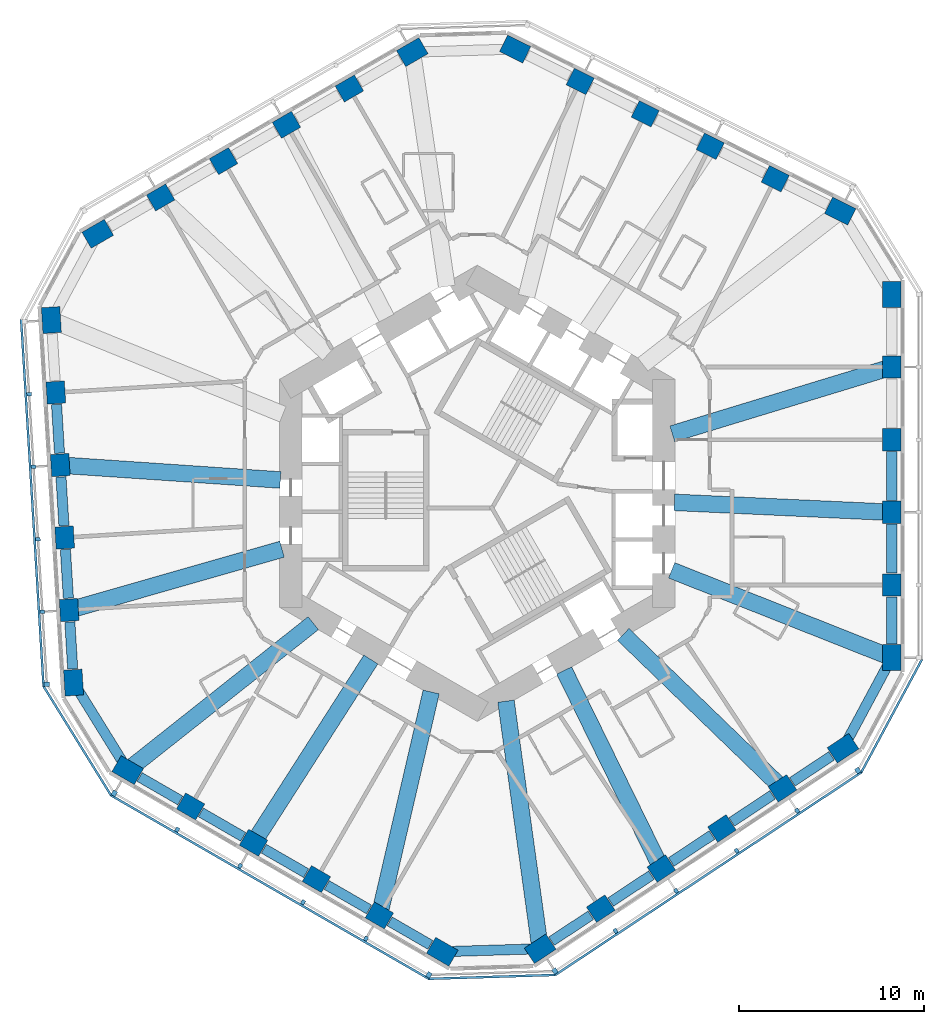
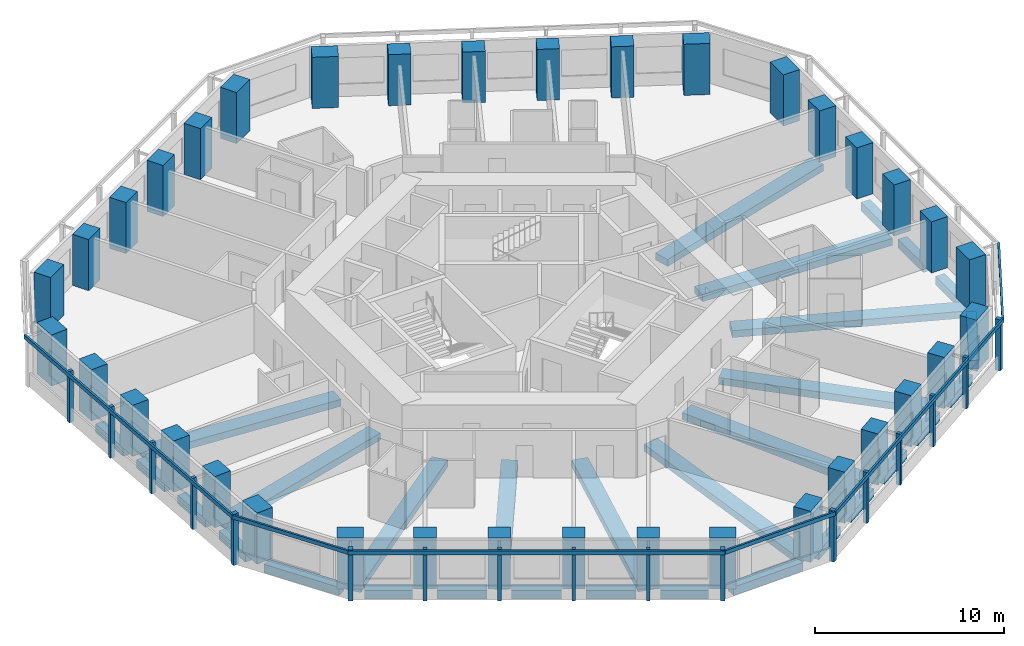
# One storey, part 1 of 12: 36 columns, 31 beams, 23 members, 6 elements without a shape of their own.
"""IFC4 building model written with IfcOpenShell, lengths in metres."""

from ifc_helpers import new_model, si_unit, direction, frame, origin, origin_2d, place, context, subcontext, project, spatial, rectangle, extrude, material, material_profile, profile_set, type_object, element, aggregate, save


model = new_model("IFC4")

# Units and contexts
model_context = context("Model", 3, precision=1e-05, world=origin(), true_north=direction((0.0, 1.0)))
body_context = subcontext(model_context, "Body", "Model", "MODEL_VIEW")
ifc_project = project(units=[si_unit("LENGTHUNIT", "METRE"), si_unit("AREAUNIT", "SQUARE_METRE"), si_unit("VOLUMEUNIT", "CUBIC_METRE"), si_unit("PLANEANGLEUNIT", "RADIAN"), si_unit("MASSUNIT", "GRAM", prefix="KILO")], contexts=[model_context])

# Site, building, storey
site_placement = place(None, origin())
site = spatial("IfcSite", under=ifc_project, at=site_placement, CompositionType="ELEMENT")
building_placement = place(site_placement, origin())
building = spatial("IfcBuilding", under=site, at=building_placement, Name="Vanh Sen Convention Tower", CompositionType="ELEMENT")
storey_placement = place(building_placement, frame((0.0, 0.0, 63.800048828125)))
storey = spatial("IfcBuildingStorey", under=building, at=storey_placement, Name="L13", CompositionType="ELEMENT", Elevation=63.800048828125)

# Columns
ifc_material_1 = material(Name="Concrete C80/95", Category="concrete")
ifc_material_profile_1 = material_profile(ifc_material_1, rectangle(XDim=1.199951171875, YDim=1.0, at=origin_2d()), Name="RC 1200X1000")
ifc_profile_set_1 = profile_set([ifc_material_profile_1], Name="Concrete C80/95")
column_type_1 = type_object("IfcColumnType", Name="Facade column 1200 x 1000 C80/95", PredefinedType="COLUMN", material=ifc_profile_set_1)
for number, where, z_axis, x_axis, name in (
    (1, (22.449951171875, -4.964599609375, 0.0), (0.0, 0.0, 1.0), (0.0, 1.0, 0.0), "Facade column 02 L13"),
    (2, (22.449951171875, -1.030029296875, 0.0), (0.0, 0.0, 1.0), (0.0, 1.0, 0.0), "Facade column 03 L13"),
    (3, (22.449951171875, 2.904541015625, 0.0), (0.0, 0.0, 1.0), (0.0, 1.0, 0.0), "Facade column 04 L13"),
    (4, (22.449951171875, 6.839111328125, 0.0), (0.0, 0.0, 1.0), (0.0, 1.0, 0.0), "Facade column 05 L13"),
    (5, (16.1376953125, 17.039794921875, 0.0), (0.0, 0.0, 1.0), (-0.894934361602, 0.44619781311, 0.0), "Facade column 08 L13"),
    (6, (12.616455078125, 18.79541015625, 0.0), (0.0, 0.0, 1.0), (-0.894934361602, 0.44619781311, 0.0), "Facade column 09 L13"),
    (7, (9.09521484375, 20.55078125, 0.0), (0.0, 0.0, 1.0), (-0.894934361602, 0.44619781311, 0.0), "Facade column 10 L13"),
    (8, (5.57421875, 22.306396484375, 0.0), (0.0, 0.0, 1.0), (-0.894934361602, 0.44619781311, 0.0), "Facade column 11 L13"),
    (9, (-6.925537109375, 21.924560546875, 0.0), (0.0, 0.0, 1.0), (-0.866025403784, -0.5, 0.0), "Facade column 14 L13"),
    (10, (-10.3330078125, 19.957275390625, 0.0), (0.0, 0.0, 1.0), (-0.866025403784, -0.5, 0.0), "Facade column 15 L13"),
    (11, (-13.740478515625, 17.989990234375, 0.0), (0.0, 0.0, 1.0), (-0.866025403784, -0.5, 0.0), "Facade column 16 L13"),
    (12, (-17.14794921875, 16.022705078125, 0.0), (0.0, 0.0, 1.0), (-0.866025403784, -0.5, 0.0), "Facade column 17 L13"),
    (13, (-22.82568359375, 5.455810546875, 0.0), (0.0, 0.0, 1.0), (0.061048539535, -0.998134798422, 0.0), "Facade column 20 L13"),
    (14, (-22.58544921875, 1.528564453125, 0.0), (0.0, 0.0, 1.0), (0.061048539535, -0.998134798422, 0.0), "Facade column 21 L13"),
    (15, (-22.34521484375, -2.398681640625, 0.0), (0.0, 0.0, 1.0), (0.061048539535, -0.998134798422, 0.0), "Facade column 22 L13"),
    (16, (-22.10498046875, -6.325927734375, 0.0), (0.0, 0.0, 1.0), (0.061048539535, -0.998134798422, 0.0), "Facade column 23 L13"),
    (17, (-15.5244140625, -16.9599609375, 0.0), (0.0, 0.0, 1.0), (0.866025403784, -0.5, 0.0), "Facade column 26 L13"),
    (18, (-12.1171875, -18.92724609375, 0.0), (0.0, 0.0, 1.0), (0.866025403784, -0.5, 0.0), "Facade column 27 L13"),
    (19, (-8.709716796875, -20.89453125, 0.0), (0.0, 0.0, 1.0), (0.866025403784, -0.5, 0.0), "Facade column 28 L13"),
    (20, (-5.302001953125, -22.86181640625, 0.0), (0.0, 0.0, 1.0), (0.866025403784, -0.5, 0.0), "Facade column 29 L13"),
    (21, (6.68798828125, -22.49560546875, 0.0), (0.0, 0.0, 1.0), (0.833885822067, 0.551936985312, 0.0), "Facade column 32 L13"),
    (22, (9.968994140625, -20.323974609375, 0.0), (0.0, 0.0, 1.0), (0.833885822067, 0.551936985312, 0.0), "Facade column 33 L13"),
    (23, (13.25, -18.152099609375, 0.0), (0.0, 0.0, 1.0), (0.833885822067, 0.551936985312, 0.0), "Facade column 34 L13"),
    (24, (16.531005859375, -15.980712890625, 0.0), (0.0, 0.0, 1.0), (0.833885822067, 0.551936985312, 0.0), "Facade column 35 L13"),
):
    element("IfcColumn", number, at=place(storey_placement, frame(where, z_axis=z_axis, x_axis=x_axis)), inside=storey, type_object=column_type_1, Name=name, PredefinedType="COLUMN", context=body_context, shape_type="SweptSolid", body=[
        extrude(rectangle(XDim=1.199951171875, YDim=1.0, at=origin_2d()), origin(), (0.0, 0.0, 1.0), 3.300048828125),
    ])
ifc_material_profile_2 = material_profile(ifc_material_1, rectangle(XDim=1.39990234375, YDim=1.0, at=origin_2d()), Name="RC 1400X1000")
ifc_profile_set_2 = profile_set([ifc_material_profile_2], Name="Concrete C80/95")
column_type_2 = type_object("IfcColumnType", Name="Facade corner column 1400 x 1000 C80/95", PredefinedType="COLUMN", material=ifc_profile_set_2)
for number, where, z_axis, x_axis, name in (
    (25, (22.449951171875, -8.899169921875, 0.0), (0.0, 0.0, 1.0), (0.0, 1.0, 0.0), "Facade column 01 L13"),
    (26, (22.449951171875, 10.773681640625, 0.0), (0.0, 0.0, 1.0), (0.0, 1.0, 0.0), "Facade column 06 L13"),
    (27, (19.658935546875, 15.2841796875, 0.0), (0.0, 0.0, 1.0), (-0.894934361602, 0.44619781311, 0.0), "Facade column 07 L13"),
    (28, (2.052978515625, 24.06201171875, 0.0), (0.0, 0.0, 1.0), (-0.894934361602, 0.44619781311, 0.0), "Facade column 12 L13"),
    (29, (-3.51806640625, 23.891845703125, 0.0), (0.0, 0.0, 1.0), (-0.866025403784, -0.5, 0.0), "Facade column 13 L13"),
    (30, (-20.555419921875, 14.055419921875, 0.0), (0.0, 0.0, 1.0), (-0.866025403784, -0.5, 0.0), "Facade column 18 L13"),
    (31, (-23.06591796875, 9.383056640625, 0.0), (0.0, 0.0, 1.0), (0.061048539535, -0.998134798422, 0.0), "Facade column 19 L13"),
    (32, (-21.86474609375, -10.253173828125, 0.0), (0.0, 0.0, 1.0), (0.061048539535, -0.998134798422, 0.0), "Facade column 24 L13"),
    (33, (-18.931884765625, -14.99267578125, 0.0), (0.0, 0.0, 1.0), (0.866025403784, -0.5, 0.0), "Facade column 25 L13"),
    (34, (-1.894775390625, -24.8291015625, 0.0), (0.0, 0.0, 1.0), (0.866025403784, -0.5, 0.0), "Facade column 30 L13"),
    (35, (3.406982421875, -24.6669921875, 0.0), (0.0, 0.0, 1.0), (0.833885822067, 0.551936985312, 0.0), "Facade column 31 L13"),
    (36, (19.81201171875, -13.808837890625, 0.0), (0.0, 0.0, 1.0), (0.833885822067, 0.551936985312, 0.0), "Facade column 36 L13"),
):
    element("IfcColumn", number, at=place(storey_placement, frame(where, z_axis=z_axis, x_axis=x_axis)), inside=storey, type_object=column_type_2, Name=name, PredefinedType="COLUMN", context=body_context, shape_type="SweptSolid", body=[
        extrude(rectangle(XDim=1.39990234375, YDim=1.0, at=origin_2d()), origin(), (0.0, 0.0, 1.0), 3.300048828125),
    ])

# Curtain wall, member
ifc_material_2 = material(Name="Concrete C50/60", Category="concrete")
curtain_wall_type = type_object("IfcCurtainWallType", Name="Outer skin hotel zone", PredefinedType="NOTDEFINED", material=ifc_material_2)
curtain_wall_1_placement = place(storey_placement, origin())
curtain_wall_1 = element("IfcCurtainWall", 37, at=curtain_wall_1_placement, inside=storey, type_object=curtain_wall_type, Name="OUTER SKIN W L13", PredefinedType="NOTDEFINED")
ifc_material_profile_3 = material_profile(ifc_material_2, rectangle(XDim=0.25, YDim=0.300048828125, at=origin_2d()), Name="Outer skin precast corner fin 250 x 300")
ifc_profile_set_3 = profile_set([ifc_material_profile_3], Name="Concrete C50/60")
member_type_1 = type_object("IfcMemberType", Name="Outer skin precast corner fin 250 x 300", PredefinedType="MULLION", material=ifc_profile_set_3)
member_1_placement = place(storey_placement, frame((-23.31201171875, -10.341796875, 0.0), z_axis=(0.0, 0.0, 1.0), x_axis=(0.061048539535, -0.998134798422, 0.0)))
member_1 = element("IfcMember", 38, at=member_1_placement, type_object=member_type_1, Name="OUTER SKIN CORNER FIN 6 W L13", PredefinedType="MULLION", context=body_context, shape_type="SweptSolid", body=[
    extrude(rectangle(XDim=0.25, YDim=0.300048828125, at=origin_2d()), origin(), (0.0, 0.0, 1.0), 3.300048828125),
])

# Curtain wall, members
curtain_wall_2_placement = place(storey_placement, origin())
curtain_wall_2 = element("IfcCurtainWall", 39, at=curtain_wall_2_placement, inside=storey, type_object=curtain_wall_type, Name="OUTER SKIN SW L13", PredefinedType="NOTDEFINED")
member_2_placement = place(storey_placement, frame((-19.656982421875, -16.248291015625, 0.0), z_axis=(0.0, 0.0, 1.0), x_axis=(0.866025403784, -0.5, 0.0)))
member_2 = element("IfcMember", 40, at=member_2_placement, type_object=member_type_1, Name="OUTER SKIN CORNER FIN 1 SW L13", PredefinedType="MULLION", context=body_context, shape_type="SweptSolid", body=[
    extrude(rectangle(XDim=0.25, YDim=0.300048828125, at=origin_2d()), origin(), (0.0, 0.0, 1.0), 3.300048828125),
])
member_3_placement = place(storey_placement, frame((-2.61962890625, -26.084716796875, 0.0), z_axis=(0.0, 0.0, 1.0), x_axis=(0.866025403784, -0.5, 0.0)))
member_3 = element("IfcMember", 41, at=member_3_placement, type_object=member_type_1, Name="OUTER SKIN CORNER FIN 6 SW L13", PredefinedType="MULLION", context=body_context, shape_type="SweptSolid", body=[
    extrude(rectangle(XDim=0.25, YDim=0.300048828125, at=origin_2d()), origin(), (0.0, 0.0, 1.0), 3.300048828125),
])

curtain_wall_3_placement = place(storey_placement, origin())
curtain_wall_3 = element("IfcCurtainWall", 42, at=curtain_wall_3_placement, inside=storey, type_object=curtain_wall_type, Name="OUTER SKIN SE L13", PredefinedType="NOTDEFINED")
member_4_placement = place(storey_placement, frame((4.207275390625, -25.876220703125, 0.0), z_axis=(0.0, 0.0, 1.0), x_axis=(0.833885822067, 0.551936985312, 0.0)))
member_4 = element("IfcMember", 43, at=member_4_placement, type_object=member_type_1, Name="OUTER SKIN CORNER FIN 1 SE L13", PredefinedType="MULLION", context=body_context, shape_type="SweptSolid", body=[
    extrude(rectangle(XDim=0.25, YDim=0.300048828125, at=origin_2d()), origin(), (0.0, 0.0, 1.0), 3.300048828125),
])
member_5_placement = place(storey_placement, frame((20.6123046875, -15.01806640625, 0.0), z_axis=(0.0, 0.0, 1.0), x_axis=(0.833885822067, 0.551936985312, 0.0)))
member_5 = element("IfcMember", 44, at=member_5_placement, type_object=member_type_1, Name="OUTER SKIN CORNER FIN 6 SE L13", PredefinedType="MULLION", context=body_context, shape_type="SweptSolid", body=[
    extrude(rectangle(XDim=0.25, YDim=0.300048828125, at=origin_2d()), origin(), (0.0, 0.0, 1.0), 3.300048828125),
])

# Member
ifc_material_profile_4 = material_profile(ifc_material_2, rectangle(XDim=0.199951171875, YDim=0.25, at=origin_2d()), Name="Outer skin precast fin 200 x 250")
ifc_profile_set_4 = profile_set([ifc_material_profile_4], Name="Concrete C50/60")
member_type_2 = type_object("IfcMemberType", Name="Outer skin precast fin 200 x 250", PredefinedType="MULLION", material=ifc_profile_set_4)
member_6_placement = place(storey_placement, frame((-24.27294921875, 5.3671875, 0.0), z_axis=(0.0, 0.0, 1.0), x_axis=(0.061048539535, -0.998134798422, 0.0)))
member_6 = element("IfcMember", 45, at=member_6_placement, type_object=member_type_2, Name="OUTER SKIN fin 2 W L13", PredefinedType="MULLION", context=body_context, shape_type="SweptSolid", body=[
    extrude(rectangle(XDim=0.199951171875, YDim=0.25, at=origin_2d()), origin(), (0.0, 0.0, 1.0), 3.300048828125),
])

member_7_placement = place(storey_placement, frame((-24.03271484375, 1.440185546875, 0.0), z_axis=(0.0, 0.0, 1.0), x_axis=(0.061048539535, -0.998134798422, 0.0)))
member_7 = element("IfcMember", 46, at=member_7_placement, type_object=member_type_2, Name="OUTER SKIN fin 3 W L13", PredefinedType="MULLION", context=body_context, shape_type="SweptSolid", body=[
    extrude(rectangle(XDim=0.199951171875, YDim=0.25, at=origin_2d()), origin(), (0.0, 0.0, 1.0), 3.300048828125),
])

member_8_placement = place(storey_placement, frame((-23.79248046875, -2.4873046875, 0.0), z_axis=(0.0, 0.0, 1.0), x_axis=(0.061048539535, -0.998134798422, 0.0)))
member_8 = element("IfcMember", 47, at=member_8_placement, type_object=member_type_2, Name="OUTER SKIN fin 4 W L13", PredefinedType="MULLION", context=body_context, shape_type="SweptSolid", body=[
    extrude(rectangle(XDim=0.199951171875, YDim=0.25, at=origin_2d()), origin(), (0.0, 0.0, 1.0), 3.300048828125),
])

member_9_placement = place(storey_placement, frame((-23.55224609375, -6.414306640625, 0.0), z_axis=(0.0, 0.0, 1.0), x_axis=(0.061048539535, -0.998134798422, 0.0)))
member_9 = element("IfcMember", 48, at=member_9_placement, type_object=member_type_2, Name="OUTER SKIN fin 5 W L13", PredefinedType="MULLION", context=body_context, shape_type="SweptSolid", body=[
    extrude(rectangle(XDim=0.199951171875, YDim=0.25, at=origin_2d()), origin(), (0.0, 0.0, 1.0), 3.300048828125),
])

member_10_placement = place(storey_placement, frame((-16.24951171875, -18.2158203125, 0.0), z_axis=(0.0, 0.0, 1.0), x_axis=(0.866025403784, -0.5, 0.0)))
member_10 = element("IfcMember", 49, at=member_10_placement, type_object=member_type_2, Name="OUTER SKIN fin 2 SW L13", PredefinedType="MULLION", context=body_context, shape_type="SweptSolid", body=[
    extrude(rectangle(XDim=0.199951171875, YDim=0.25, at=origin_2d()), origin(), (0.0, 0.0, 1.0), 3.300048828125),
])

member_11_placement = place(storey_placement, frame((-12.842041015625, -20.182861328125, 0.0), z_axis=(0.0, 0.0, 1.0), x_axis=(0.866025403784, -0.5, 0.0)))
member_11 = element("IfcMember", 50, at=member_11_placement, type_object=member_type_2, Name="OUTER SKIN fin 3 SW L13", PredefinedType="MULLION", context=body_context, shape_type="SweptSolid", body=[
    extrude(rectangle(XDim=0.199951171875, YDim=0.25, at=origin_2d()), origin(), (0.0, 0.0, 1.0), 3.300048828125),
])

member_12_placement = place(storey_placement, frame((-9.4345703125, -22.150146484375, 0.0), z_axis=(0.0, 0.0, 1.0), x_axis=(0.866025403784, -0.5, 0.0)))
member_12 = element("IfcMember", 51, at=member_12_placement, type_object=member_type_2, Name="OUTER SKIN fin 4 SW L13", PredefinedType="MULLION", context=body_context, shape_type="SweptSolid", body=[
    extrude(rectangle(XDim=0.199951171875, YDim=0.25, at=origin_2d()), origin(), (0.0, 0.0, 1.0), 3.300048828125),
])

member_13_placement = place(storey_placement, frame((-6.027099609375, -24.117431640625, 0.0), z_axis=(0.0, 0.0, 1.0), x_axis=(0.866025403784, -0.5, 0.0)))
member_13 = element("IfcMember", 52, at=member_13_placement, type_object=member_type_2, Name="OUTER SKIN fin 5 SW L13", PredefinedType="MULLION", context=body_context, shape_type="SweptSolid", body=[
    extrude(rectangle(XDim=0.199951171875, YDim=0.25, at=origin_2d()), origin(), (0.0, 0.0, 1.0), 3.300048828125),
])

member_14_placement = place(storey_placement, frame((7.48828125, -23.70458984375, 0.0), z_axis=(0.0, 0.0, 1.0), x_axis=(0.833885822067, 0.551936985312, 0.0)))
member_14 = element("IfcMember", 53, at=member_14_placement, type_object=member_type_2, Name="OUTER SKIN fin 2 SE L13", PredefinedType="MULLION", context=body_context, shape_type="SweptSolid", body=[
    extrude(rectangle(XDim=0.199951171875, YDim=0.25, at=origin_2d()), origin(), (0.0, 0.0, 1.0), 3.300048828125),
])

member_15_placement = place(storey_placement, frame((10.769287109375, -21.532958984375, 0.0), z_axis=(0.0, 0.0, 1.0), x_axis=(0.833885822067, 0.551936985312, 0.0)))
member_15 = element("IfcMember", 54, at=member_15_placement, type_object=member_type_2, Name="OUTER SKIN fin 3 SE L13", PredefinedType="MULLION", context=body_context, shape_type="SweptSolid", body=[
    extrude(rectangle(XDim=0.199951171875, YDim=0.25, at=origin_2d()), origin(), (0.0, 0.0, 1.0), 3.300048828125),
])

member_16_placement = place(storey_placement, frame((14.05029296875, -19.361328125, 0.0), z_axis=(0.0, 0.0, 1.0), x_axis=(0.833885822067, 0.551936985312, 0.0)))
member_16 = element("IfcMember", 55, at=member_16_placement, type_object=member_type_2, Name="OUTER SKIN fin 4 SE L13", PredefinedType="MULLION", context=body_context, shape_type="SweptSolid", body=[
    extrude(rectangle(XDim=0.199951171875, YDim=0.25, at=origin_2d()), origin(), (0.0, 0.0, 1.0), 3.300048828125),
])

member_17_placement = place(storey_placement, frame((17.331298828125, -17.189697265625, 0.0), z_axis=(0.0, 0.0, 1.0), x_axis=(0.833885822067, 0.551936985312, 0.0)))
member_17 = element("IfcMember", 56, at=member_17_placement, type_object=member_type_2, Name="OUTER SKIN fin 5 SE L13", PredefinedType="MULLION", context=body_context, shape_type="SweptSolid", body=[
    extrude(rectangle(XDim=0.199951171875, YDim=0.25, at=origin_2d()), origin(), (0.0, 0.0, 1.0), 3.300048828125),
])

ifc_material_profile_5 = material_profile(ifc_material_2, rectangle(XDim=0.1201171875, YDim=0.25, at=origin_2d()), Name="Outer skin precast spandrel band 250 x 120")
ifc_profile_set_5 = profile_set([ifc_material_profile_5], Name="Concrete C50/60")
member_type_3 = type_object("IfcMemberType", Name="Outer skin precast spandrel band 250 x 120", PredefinedType="USERDEFINED", material=ifc_profile_set_5)
member_18_placement = place(storey_placement, frame((-24.705322265625, 9.408203125, 3.175048828125), z_axis=(0.061050017989, -0.998134707995, 0.0), x_axis=(0.998134707995, 0.061050017989, 0.0)))
member_18 = element("IfcMember", 57, at=member_18_placement, type_object=member_type_3, Name="OUTER SKIN spandrel band W L13", ObjectType="TRANSOM", PredefinedType="USERDEFINED", context=body_context, shape_type="SweptSolid", body=[
    extrude(rectangle(XDim=0.1201171875, YDim=0.25, at=origin_2d()), origin(), (0.0, 0.0, 1.0), 19.923095703125),
])

aggregate(curtain_wall_1, [member_6, member_7, member_8, member_9, member_1, member_18])

# Curtain wall, member
curtain_wall_4_placement = place(storey_placement, origin())
curtain_wall_4 = element("IfcCurtainWall", 58, at=curtain_wall_4_placement, inside=storey, type_object=curtain_wall_type, Name="OUTER SKIN CH4 L13", PredefinedType="NOTDEFINED")
member_19_placement = place(storey_placement, frame((-23.49072265625, -10.4521484375, 3.175048828125), z_axis=(0.526196095141, -0.850363257354, 0.0), x_axis=(0.850363257354, 0.526196095141, 0.0)))
member_19 = element("IfcMember", 59, at=member_19_placement, type_object=member_type_3, Name="OUTER SKIN spandrel band CH4 L13", ObjectType="TRANSOM", PredefinedType="USERDEFINED", context=body_context, shape_type="SweptSolid", body=[
    extrude(rectangle(XDim=0.1201171875, YDim=0.25, at=origin_2d()), origin(), (0.0, 0.0, 1.0), 6.946044921875),
])
aggregate(curtain_wall_4, [member_19])

# Member
member_20_placement = place(storey_placement, frame((-19.85791015625, -16.34619140625, 3.175048828125), z_axis=(0.866028047459, -0.499995420993, 0.0), x_axis=(0.499995420993, 0.866028047459, 0.0)))
member_20 = element("IfcMember", 60, at=member_20_placement, type_object=member_type_3, Name="OUTER SKIN spandrel band SW L13", ObjectType="TRANSOM", PredefinedType="USERDEFINED", context=body_context, shape_type="SweptSolid", body=[
    extrude(rectangle(XDim=0.1201171875, YDim=0.25, at=origin_2d()), origin(), (0.0, 0.0, 1.0), 19.923095703125),
])

aggregate(curtain_wall_2, [member_2, member_10, member_11, member_12, member_13, member_3, member_20])

# Curtain wall, member
curtain_wall_5_placement = place(storey_placement, origin())
curtain_wall_5 = element("IfcCurtainWall", 61, at=curtain_wall_5_placement, inside=storey, type_object=curtain_wall_type, Name="OUTER SKIN CH5 L13", PredefinedType="NOTDEFINED")
member_21_placement = place(storey_placement, frame((-2.61328125, -26.294677734375, 3.175048828125), z_axis=(0.99953396928, 0.030526124156, 0.0), x_axis=(-0.030526124156, 0.99953396928, 0.0)))
member_21 = element("IfcMember", 62, at=member_21_placement, type_object=member_type_3, Name="OUTER SKIN spandrel band CH5 L13", ObjectType="TRANSOM", PredefinedType="USERDEFINED", context=body_context, shape_type="SweptSolid", body=[
    extrude(rectangle(XDim=0.1201171875, YDim=0.25, at=origin_2d()), origin(), (0.0, 0.0, 1.0), 6.830078125),
])
aggregate(curtain_wall_5, [member_21])

# Member
member_22_placement = place(storey_placement, frame((4.205078125, -26.099609375, 3.175048828125), z_axis=(0.833883851182, 0.551939962984, 0.0), x_axis=(-0.551939962984, 0.833883851182, 0.0)))
member_22 = element("IfcMember", 63, at=member_22_placement, type_object=member_type_3, Name="OUTER SKIN spandrel band SE L13", ObjectType="TRANSOM", PredefinedType="USERDEFINED", context=body_context, shape_type="SweptSolid", body=[
    extrude(rectangle(XDim=0.1201171875, YDim=0.25, at=origin_2d()), origin(), (0.0, 0.0, 1.0), 19.923095703125),
])

aggregate(curtain_wall_3, [member_4, member_14, member_15, member_16, member_17, member_5, member_22])

# Curtain wall, member
curtain_wall_6_placement = place(storey_placement, origin())
curtain_wall_6 = element("IfcCurtainWall", 64, at=curtain_wall_6_placement, inside=storey, type_object=curtain_wall_type, Name="OUTER SKIN CH6 L13", PredefinedType="NOTDEFINED")
member_23_placement = place(storey_placement, frame((20.797119140625, -15.117431640625, 3.175048828125), z_axis=(0.473324148816, 0.880888330123, 0.0), x_axis=(-0.880888330123, 0.473324148816, 0.0)))
member_23 = element("IfcMember", 65, at=member_23_placement, type_object=member_type_3, Name="OUTER SKIN spandrel band CH6 L13", ObjectType="TRANSOM", PredefinedType="USERDEFINED", context=body_context, shape_type="SweptSolid", body=[
    extrude(rectangle(XDim=0.1201171875, YDim=0.25, at=origin_2d()), origin(), (0.0, 0.0, 1.0), 6.9462890625),
])
aggregate(curtain_wall_6, [member_23])

# Beams
ifc_material_3 = material(Name="Concrete C50/60", Category="concrete")
ifc_material_profile_6 = material_profile(ifc_material_3, rectangle(XDim=0.89990234375, YDim=0.449951171875, at=origin_2d()), Name="RC 900X450")
ifc_profile_set_6 = profile_set([ifc_material_profile_6], Name="Concrete C50/60")
beam_type_1 = type_object("IfcBeamType", Name="Radial floor beam 900 x 450", PredefinedType="BEAM", material=ifc_profile_set_6)
beam_1_placement = place(storey_placement, frame((22.12060546875, -8.7685546875, -0.47509765625), z_axis=(-0.929625441153, 0.368505819713, 0.0), x_axis=(-0.368505819713, -0.929625441153, 0.0)))
element("IfcBeam", 66, at=beam_1_placement, inside=storey, type_object=beam_type_1, Name="Radial beam 01 L13", PredefinedType="BEAM", context=body_context, shape_type="SweptSolid", body=[
    extrude(rectangle(XDim=0.89990234375, YDim=0.449951171875, at=origin_2d()), origin(), (0.0, 0.0, 1.0), 12.468505859375),
])
beam_2_placement = place(storey_placement, frame((21.9755859375, -1.00830078125, -0.47509765625), z_axis=(-0.998948959247, 0.045836413684, 0.0), x_axis=(-0.045836413684, -0.998948959247, 0.0)))
element("IfcBeam", 67, at=beam_2_placement, inside=storey, type_object=beam_type_1, Name="Radial beam 02 L13", PredefinedType="BEAM", context=body_context, shape_type="SweptSolid", body=[
    extrude(rectangle(XDim=0.89990234375, YDim=0.449951171875, at=origin_2d()), origin(), (0.0, 0.0, 1.0), 11.313232421875),
])
beam_3_placement = place(storey_placement, frame((22.0859375, 6.728271484375, -0.47509765625), z_axis=(-0.956595291153, -0.291419712689, 0.0), x_axis=(0.291419712689, -0.956595291153, 0.0)))
element("IfcBeam", 68, at=beam_3_placement, inside=storey, type_object=beam_type_1, Name="Radial beam 03 L13", PredefinedType="BEAM", context=body_context, shape_type="SweptSolid", body=[
    extrude(rectangle(XDim=0.89990234375, YDim=0.449951171875, at=origin_2d()), origin(), (0.0, 0.0, 1.0), 12.04443359375),
])
beam_4_placement = place(storey_placement, frame((-22.1455078125, 1.498779296875, -0.47509765625), z_axis=(0.997717146338, -0.067531443814, 0.0), x_axis=(0.067531443814, 0.997717146338, 0.0)))
element("IfcBeam", 69, at=beam_4_placement, inside=storey, type_object=beam_type_1, Name="Radial beam 11 L13", PredefinedType="BEAM", context=body_context, shape_type="SweptSolid", body=[
    extrude(rectangle(XDim=0.89990234375, YDim=0.449951171875, at=origin_2d()), origin(), (0.0, 0.0, 1.0), 11.50732421875),
])
beam_5_placement = place(storey_placement, frame((-21.713134765625, -6.2138671875, -0.47509765625), z_axis=(0.96140779783, 0.27512732738, 0.0), x_axis=(-0.27512732738, 0.96140779783, 0.0)))
element("IfcBeam", 70, at=beam_5_placement, inside=storey, type_object=beam_type_1, Name="Radial beam 12 L13", PredefinedType="BEAM", context=body_context, shape_type="SweptSolid", body=[
    extrude(rectangle(XDim=0.89990234375, YDim=0.449951171875, at=origin_2d()), origin(), (0.0, 0.0, 1.0), 11.589111328125),
])
beam_6_placement = place(storey_placement, frame((-18.654052734375, -14.772705078125, -0.47509765625), z_axis=(0.783950127039, 0.620823806177, 0.0), x_axis=(-0.620823806177, 0.783950127039, 0.0)))
element("IfcBeam", 71, at=beam_6_placement, inside=storey, type_object=beam_type_1, Name="Radial beam 13 L13", PredefinedType="BEAM", context=body_context, shape_type="SweptSolid", body=[
    extrude(rectangle(XDim=0.89990234375, YDim=0.449951171875, at=origin_2d()), origin(), (0.0, 0.0, 1.0), 12.468505859375),
])
beam_7_placement = place(storey_placement, frame((-11.861083984375, -18.52734375, -0.47509765625), z_axis=(0.539166370538, 0.842199278604, 0.0), x_axis=(-0.842199278604, 0.539166370538, 0.0)))
element("IfcBeam", 72, at=beam_7_placement, inside=storey, type_object=beam_type_1, Name="Radial beam 14 L13", PredefinedType="BEAM", context=body_context, shape_type="SweptSolid", body=[
    extrude(rectangle(XDim=0.89990234375, YDim=0.449951171875, at=origin_2d()), origin(), (0.0, 0.0, 1.0), 11.31298828125),
])
beam_8_placement = place(storey_placement, frame((-5.216064453125, -22.4912109375, -0.47509765625), z_axis=(0.225903026676, 0.974149794713, 0.0), x_axis=(-0.974149794713, 0.225903026676, 0.0)))
element("IfcBeam", 73, at=beam_8_placement, inside=storey, type_object=beam_type_1, Name="Radial beam 15 L13", PredefinedType="BEAM", context=body_context, shape_type="SweptSolid", body=[
    extrude(rectangle(XDim=0.89990234375, YDim=0.449951171875, at=origin_2d()), origin(), (0.0, 0.0, 1.0), 12.044677734375),
])
beam_9_placement = place(storey_placement, frame((3.361083984375, -24.336669921875, -0.47509765625), z_axis=(-0.136804448714, 0.990598073293, 0.0), x_axis=(-0.990598073293, -0.136804448714, 0.0)))
element("IfcBeam", 74, at=beam_9_placement, inside=storey, type_object=beam_type_1, Name="Radial beam 16 L13", PredefinedType="BEAM", context=body_context, shape_type="SweptSolid", body=[
    extrude(rectangle(XDim=0.89990234375, YDim=0.449951171875, at=origin_2d()), origin(), (0.0, 0.0, 1.0), 13.2041015625),
])
beam_10_placement = place(storey_placement, frame((9.774658203125, -19.927978515625, -0.47509765625), z_axis=(-0.440368849839, 0.897816950214, 0.0), x_axis=(-0.897816950214, -0.440368849839, 0.0)))
element("IfcBeam", 75, at=beam_10_placement, inside=storey, type_object=beam_type_1, Name="Radial beam 17 L13", PredefinedType="BEAM", context=body_context, shape_type="SweptSolid", body=[
    extrude(rectangle(XDim=0.89990234375, YDim=0.449951171875, at=origin_2d()), origin(), (0.0, 0.0, 1.0), 11.507080078125),
])
beam_11_placement = place(storey_placement, frame((16.23779296875, -15.697265625, -0.47509765625), z_axis=(-0.71897118158, 0.69503988379, 0.0), x_axis=(-0.69503988379, -0.71897118158, 0.0)))
element("IfcBeam", 76, at=beam_11_placement, inside=storey, type_object=beam_type_1, Name="Radial beam 18 L13", PredefinedType="BEAM", context=body_context, shape_type="SweptSolid", body=[
    extrude(rectangle(XDim=0.89990234375, YDim=0.449951171875, at=origin_2d()), origin(), (0.0, 0.0, 1.0), 11.589111328125),
])
ifc_material_profile_7 = material_profile(ifc_material_3, rectangle(XDim=0.550048828125, YDim=0.550048828125, at=origin_2d()), Name="RC 550X550")
ifc_profile_set_7 = profile_set([ifc_material_profile_7], Name="Concrete C50/60")
beam_type_2 = type_object("IfcBeamType", Name="Spandrel beam 550 x 550", PredefinedType="SPANDREL", material=ifc_profile_set_7)
beam_12_placement = place(storey_placement, frame((22.449951171875, -8.154296875, -0.525146484375), z_axis=(0.0, 1.0, 0.0), x_axis=(-1.0, 0.0, 0.0)))
element("IfcBeam", 77, at=beam_12_placement, inside=storey, type_object=beam_type_2, Name="Spandrel beam 01 L13", PredefinedType="SPANDREL", context=body_context, shape_type="SweptSolid", body=[
    extrude(rectangle(XDim=0.550048828125, YDim=0.550048828125, at=origin_2d()), origin(), (0.0, 0.0, 1.0), 2.544677734375),
])
for number, where, z_axis, x_axis, name in (
    (78, (22.449951171875, -4.319580078125, -0.525146484375), (0.0, 1.0, 0.0), (-1.0, 0.0, 0.0), "Spandrel beam 02 L13"),
    (79, (22.449951171875, -0.385009765625, -0.525146484375), (0.0, 1.0, 0.0), (-1.0, 0.0, 0.0), "Spandrel beam 03 L13"),
    (80, (-22.7861328125, 4.81201171875, -0.525146484375), (0.061021844318, -0.998136430813, 0.0), (0.998136430813, 0.061021844318, 0.0), "Spandrel beam 20 L13"),
    (81, (-22.5458984375, 0.884765625, -0.525146484375), (0.061021844318, -0.998136430813, 0.0), (0.998136430813, 0.061021844318, 0.0), "Spandrel beam 21 L13"),
    (82, (-22.305908203125, -3.04248046875, -0.525146484375), (0.061113817246, -0.998130803723, 0.0), (0.998130803723, 0.061113817246, 0.0), "Spandrel beam 22 L13"),
):
    element("IfcBeam", number, at=place(storey_placement, frame(where, z_axis=z_axis, x_axis=x_axis)), inside=storey, type_object=beam_type_2, Name=name, PredefinedType="SPANDREL", context=body_context, shape_type="SweptSolid", body=[
        extrude(rectangle(XDim=0.550048828125, YDim=0.550048828125, at=origin_2d()), origin(), (0.0, 0.0, 1.0), 2.64453125),
    ])
beam_13_placement = place(storey_placement, frame((-22.065673828125, -6.9697265625, -0.525146484375), z_axis=(0.061022277531, -0.998136404328, 0.0), x_axis=(0.998136404328, 0.061022277531, 0.0)))
element("IfcBeam", 83, at=beam_13_placement, inside=storey, type_object=beam_type_2, Name="Spandrel beam 23 L13", PredefinedType="SPANDREL", context=body_context, shape_type="SweptSolid", body=[
    extrude(rectangle(XDim=0.550048828125, YDim=0.550048828125, at=origin_2d()), origin(), (0.0, 0.0, 1.0), 2.54443359375),
])
beam_14_placement = place(storey_placement, frame((-21.580810546875, -10.712158203125, -0.525146484375), z_axis=(0.526214350595, -0.850351960795, 0.0), x_axis=(0.850351960795, 0.526214350595, 0.0)))
element("IfcBeam", 84, at=beam_14_placement, inside=storey, type_object=beam_type_2, Name="Spandrel beam 24 L13", PredefinedType="SPANDREL", context=body_context, shape_type="SweptSolid", body=[
    extrude(rectangle(XDim=0.550048828125, YDim=0.550048828125, at=origin_2d()), origin(), (0.0, 0.0, 1.0), 4.494384765625),
])
beam_15_placement = place(storey_placement, frame((-18.286865234375, -15.365234375, -0.525146484375), z_axis=(0.866056180903, -0.499946688677, 0.0), x_axis=(0.499946688677, 0.866056180903, 0.0)))
element("IfcBeam", 85, at=beam_15_placement, inside=storey, type_object=beam_type_2, Name="Spandrel beam 25 L13", PredefinedType="SPANDREL", context=body_context, shape_type="SweptSolid", body=[
    extrude(rectangle(XDim=0.550048828125, YDim=0.550048828125, at=origin_2d()), origin(), (0.0, 0.0, 1.0), 2.544677734375),
])
beam_16_placement = place(storey_placement, frame((-14.9658203125, -17.282470703125, -0.525146484375), z_axis=(0.866007234284, -0.500031469177, 0.0), x_axis=(0.500031469177, 0.866007234284, 0.0)))
element("IfcBeam", 86, at=beam_16_placement, inside=storey, type_object=beam_type_2, Name="Spandrel beam 26 L13", PredefinedType="SPANDREL", context=body_context, shape_type="SweptSolid", body=[
    extrude(rectangle(XDim=0.550048828125, YDim=0.550048828125, at=origin_2d()), origin(), (0.0, 0.0, 1.0), 2.644287109375),
])
for number, where, z_axis, x_axis, name in (
    (87, (-11.55859375, -19.249755859375, -0.525146484375), (0.866030315638, -0.499991492324, 0.0), (0.499991492324, 0.866030315638, 0.0), "Spandrel beam 27 L13"),
    (88, (-8.15087890625, -21.217041015625, -0.525146484375), (0.866030315638, -0.499991492324, 0.0), (0.499991492324, 0.866030315638, 0.0), "Spandrel beam 28 L13"),
):
    element("IfcBeam", number, at=place(storey_placement, frame(where, z_axis=z_axis, x_axis=x_axis)), inside=storey, type_object=beam_type_2, Name=name, PredefinedType="SPANDREL", context=body_context, shape_type="SweptSolid", body=[
        extrude(rectangle(XDim=0.550048828125, YDim=0.550048828125, at=origin_2d()), origin(), (0.0, 0.0, 1.0), 2.64453125),
    ])
beam_17_placement = place(storey_placement, frame((-4.743408203125, -23.184326171875, -0.525146484375), z_axis=(0.866032197868, -0.499988232117, 0.0), x_axis=(0.499988232117, 0.866032197868, 0.0)))
element("IfcBeam", 89, at=beam_17_placement, inside=storey, type_object=beam_type_2, Name="Spandrel beam 29 L13", PredefinedType="SPANDREL", context=body_context, shape_type="SweptSolid", body=[
    extrude(rectangle(XDim=0.550048828125, YDim=0.550048828125, at=origin_2d()), origin(), (0.0, 0.0, 1.0), 2.54443359375),
])
beam_18_placement = place(storey_placement, frame((-1.394287109375, -24.813720703125, -0.525146484375), z_axis=(0.999533914545, 0.030527916323, 0.0), x_axis=(-0.030527916323, 0.999533914545, 0.0)))
element("IfcBeam", 90, at=beam_18_placement, inside=storey, type_object=beam_type_2, Name="Spandrel beam 30 L13", PredefinedType="SPANDREL", context=body_context, shape_type="SweptSolid", body=[
    extrude(rectangle(XDim=0.550048828125, YDim=0.550048828125, at=origin_2d()), origin(), (0.0, 0.0, 1.0), 4.302490234375),
])
beam_19_placement = place(storey_placement, frame((4.028076171875, -24.255859375, -0.525146484375), z_axis=(0.833905579906, 0.551907133313, 0.0), x_axis=(-0.551907133313, 0.833905579906, 0.0)))
element("IfcBeam", 91, at=beam_19_placement, inside=storey, type_object=beam_type_2, Name="Spandrel beam 31 L13", PredefinedType="SPANDREL", context=body_context, shape_type="SweptSolid", body=[
    extrude(rectangle(XDim=0.550048828125, YDim=0.550048828125, at=origin_2d()), origin(), (0.0, 0.0, 1.0), 2.54443359375),
])
beam_20_placement = place(storey_placement, frame((7.225830078125, -22.139404296875, -0.525146484375), z_axis=(0.833892212548, 0.551927330227, 0.0), x_axis=(-0.551927330227, 0.833892212548, 0.0)))
element("IfcBeam", 92, at=beam_20_placement, inside=storey, type_object=beam_type_2, Name="Spandrel beam 32 L13", PredefinedType="SPANDREL", context=body_context, shape_type="SweptSolid", body=[
    extrude(rectangle(XDim=0.550048828125, YDim=0.550048828125, at=origin_2d()), origin(), (0.0, 0.0, 1.0), 2.644287109375),
])
beam_21_placement = place(storey_placement, frame((10.5068359375, -19.968017578125, -0.525146484375), z_axis=(0.833849719202, 0.551991526916, 0.0), x_axis=(-0.551991526916, 0.833849719202, 0.0)))
element("IfcBeam", 93, at=beam_21_placement, inside=storey, type_object=beam_type_2, Name="Spandrel beam 33 L13", PredefinedType="SPANDREL", context=body_context, shape_type="SweptSolid", body=[
    extrude(rectangle(XDim=0.550048828125, YDim=0.550048828125, at=origin_2d()), origin(), (0.0, 0.0, 1.0), 2.64453125),
])
beam_22_placement = place(storey_placement, frame((13.787841796875, -17.796142578125, -0.525146484375), z_axis=(0.833892212548, 0.551927330227, 0.0), x_axis=(-0.551927330227, 0.833892212548, 0.0)))
element("IfcBeam", 94, at=beam_22_placement, inside=storey, type_object=beam_type_2, Name="Spandrel beam 34 L13", PredefinedType="SPANDREL", context=body_context, shape_type="SweptSolid", body=[
    extrude(rectangle(XDim=0.550048828125, YDim=0.550048828125, at=origin_2d()), origin(), (0.0, 0.0, 1.0), 2.644287109375),
])
beam_23_placement = place(storey_placement, frame((17.06884765625, -15.62451171875, -0.525146484375), z_axis=(0.833905579906, 0.551907133313, 0.0), x_axis=(-0.551907133313, 0.833905579906, 0.0)))
element("IfcBeam", 95, at=beam_23_placement, inside=storey, type_object=beam_type_2, Name="Spandrel beam 35 L13", PredefinedType="SPANDREL", context=body_context, shape_type="SweptSolid", body=[
    extrude(rectangle(XDim=0.550048828125, YDim=0.550048828125, at=origin_2d()), origin(), (0.0, 0.0, 1.0), 2.54443359375),
])
beam_24_placement = place(storey_placement, frame((20.0673828125, -13.33349609375, -0.525146484375), z_axis=(0.473312454828, 0.880894613507, 0.0), x_axis=(-0.880894613507, 0.473312454828, 0.0)))
element("IfcBeam", 96, at=beam_24_placement, inside=storey, type_object=beam_type_2, Name="Spandrel beam 36 L13", PredefinedType="SPANDREL", context=body_context, shape_type="SweptSolid", body=[
    extrude(rectangle(XDim=0.550048828125, YDim=0.550048828125, at=origin_2d()), origin(), (0.0, 0.0, 1.0), 4.494384765625),
])

save(model, "model.ifc")
